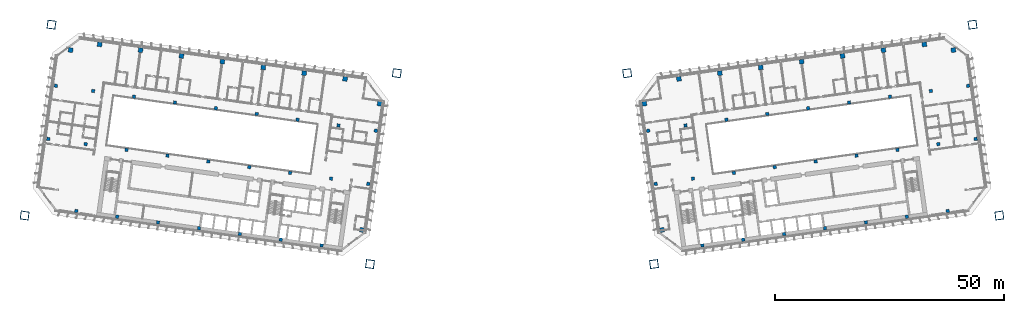
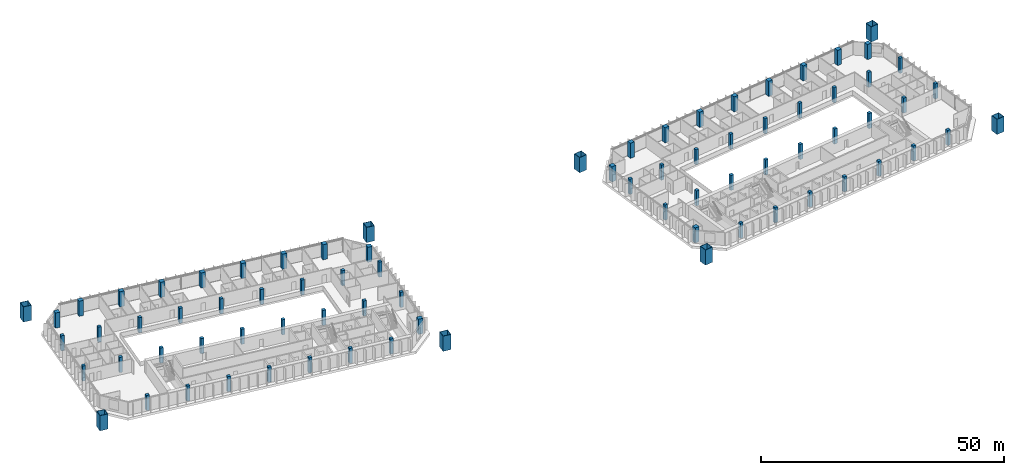
# One storey, part 1 of 24: 78 columns.
"""IFC4 building model written with IfcOpenShell, lengths in metres."""

from ifc_helpers import new_model, si_unit, direction, frame, origin, origin_2d, place, context, subcontext, project, spatial, rectangle, hollow_rectangle, extrude, material, material_profile, profile_set, type_object, element, save


model = new_model("IFC4")

# Units and contexts
model_context = context("Model", 3, precision=1e-05, world=origin(), true_north=direction((0.0, 1.0)))
body_context = subcontext(model_context, "Body", "Model", "MODEL_VIEW")
ifc_project = project(units=[si_unit("LENGTHUNIT", "METRE"), si_unit("AREAUNIT", "SQUARE_METRE"), si_unit("VOLUMEUNIT", "CUBIC_METRE"), si_unit("PLANEANGLEUNIT", "RADIAN"), si_unit("MASSUNIT", "GRAM", prefix="KILO")], contexts=[model_context])

# Site, building, storey
site_placement = place(None, origin())
site = spatial("IfcSite", under=ifc_project, at=site_placement, CompositionType="ELEMENT")
building_placement = place(site_placement, origin())
building = spatial("IfcBuilding", under=site, at=building_placement, Name="Mirante Cascada Hotel Towers", CompositionType="ELEMENT")
storey_placement = place(building_placement, frame((0.0, 0.0, 47.1)))
storey = spatial("IfcBuildingStorey", under=building, at=storey_placement, Name="L08", CompositionType="ELEMENT", Elevation=47.1)

# Columns
ifc_material_1 = material(Name="Steel ASTM A572 Gr 50", Category="steel")
ifc_material_profile_1 = material_profile(ifc_material_1, hollow_rectangle(XDim=1.8, YDim=1.8, WallThickness=0.08, at=origin_2d()), Name="Box column 1800x1800x80 ASTM A572 Gr 50")
ifc_profile_set_1 = profile_set([ifc_material_profile_1], Name="Steel ASTM A572 Gr 50")
column_type_1 = type_object("IfcColumnType", Name="Box column 1800x1800x80 ASTM A572 Gr 50", PredefinedType="COLUMN", material=ifc_profile_set_1)
for number, where, z_axis, x_axis, name in (
    (1, (-25.0968, 18.5173, 0.0), (0.0, 0.0, 1.0), (-0.9902681, 0.1391731, 0.0), "Mega column MC1 T1 L08"),
    (2, (-30.9421, -23.074, 0.0), (0.0, 0.0, 1.0), (-0.9902681, 0.1391731, 0.0), "Mega column MC2 T1 L08"),
    (3, (-100.3572, 29.0944, 0.0), (0.0, 0.0, 1.0), (-0.9902681, 0.1391731, 0.0), "Mega column MC3 T1 L08"),
    (4, (-106.2025, -12.4968, 0.0), (0.0, 0.0, 1.0), (-0.9902681, 0.1391731, 0.0), "Mega column MC4 T1 L08"),
    (5, (25.0968, 18.5173, 0.0), (0.0, 0.0, 1.0), (0.9902681, 0.1391731, 0.0), "Mega column MC1 T2 L08"),
    (6, (30.9421, -23.074, 0.0), (0.0, 0.0, 1.0), (0.9902681, 0.1391731, 0.0), "Mega column MC2 T2 L08"),
    (7, (100.3572, 29.0944, 0.0), (0.0, 0.0, 1.0), (0.9902681, 0.1391731, 0.0), "Mega column MC3 T2 L08"),
    (8, (106.2025, -12.4968, 0.0), (0.0, 0.0, 1.0), (0.9902681, 0.1391731, 0.0), "Mega column MC4 T2 L08"),
):
    element("IfcColumn", number, at=place(storey_placement, frame(where, z_axis=z_axis, x_axis=x_axis)), inside=storey, type_object=column_type_1, Name=name, PredefinedType="COLUMN", context=body_context, shape_type="SweptSolid", body=[
        extrude(hollow_rectangle(XDim=1.8, YDim=1.8, WallThickness=0.08, at=origin_2d()), origin(), (0.0, 0.0, 1.0), 3.8),
    ])
ifc_material_2 = material(Name="Concrete C60/75", Category="concrete")
ifc_material_profile_2 = material_profile(ifc_material_2, rectangle(XDim=1.0, YDim=1.0, at=origin_2d()), Name="RC column 1000x1000 C60/75")
ifc_profile_set_2 = profile_set([ifc_material_profile_2], Name="Concrete C60/75")
column_type_2 = type_object("IfcColumnType", Name="RC column 1000x1000 C60/75", PredefinedType="COLUMN", material=ifc_profile_set_2)
for number, where, z_axis, x_axis, name in (
    (9, (-28.8577, 11.8761, 0.0), (0.0, 0.0, 1.0), (-0.9902681, 0.1391731, 0.0), "Column T1 L08 1"),
    (10, (-32.7267, -15.6534, 0.0), (0.0, 0.0, 1.0), (-0.9902681, 0.1391731, 0.0), "Column T1 L08 4"),
    (11, (-36.3795, 17.2754, 0.0), (0.0, 0.0, 1.0), (-0.9902681, 0.1391731, 0.0), "Column T1 L08 5"),
    (12, (-45.2919, 18.528, 0.0), (0.0, 0.0, 1.0), (-0.9902681, 0.1391731, 0.0), "Column T1 L08 9"),
    (13, (-54.2043, 19.7806, 0.0), (0.0, 0.0, 1.0), (-0.9902681, 0.1391731, 0.0), "Column T1 L08 13"),
    (14, (-63.1167, 21.0331, 0.0), (0.0, 0.0, 1.0), (-0.9902681, 0.1391731, 0.0), "Column T1 L08 17"),
    (15, (-72.0291, 22.2857, 0.0), (0.0, 0.0, 1.0), (-0.9902681, 0.1391731, 0.0), "Column T1 L08 21"),
    (16, (-80.9415, 23.5382, 0.0), (0.0, 0.0, 1.0), (-0.9902681, 0.1391731, 0.0), "Column T1 L08 25"),
    (17, (-89.8539, 24.7908, 0.0), (0.0, 0.0, 1.0), (-0.9902681, 0.1391731, 0.0), "Column T1 L08 29"),
    (18, (-96.1868, 23.5602, 0.0), (0.0, 0.0, 1.0), (-0.9902681, 0.1391731, 0.0), "Column T1 L08 33"),
    (19, (28.8577, 11.8761, 0.0), (0.0, 0.0, 1.0), (0.9902681, 0.1391731, 0.0), "Column T2 L08 1"),
    (20, (32.7267, -15.6534, 0.0), (0.0, 0.0, 1.0), (0.9902681, 0.1391731, 0.0), "Column T2 L08 4"),
    (21, (36.3795, 17.2754, 0.0), (0.0, 0.0, 1.0), (0.9902681, 0.1391731, 0.0), "Column T2 L08 5"),
    (22, (45.2919, 18.528, 0.0), (0.0, 0.0, 1.0), (0.9902681, 0.1391731, 0.0), "Column T2 L08 9"),
    (23, (54.2043, 19.7806, 0.0), (0.0, 0.0, 1.0), (0.9902681, 0.1391731, 0.0), "Column T2 L08 13"),
    (24, (63.1167, 21.0331, 0.0), (0.0, 0.0, 1.0), (0.9902681, 0.1391731, 0.0), "Column T2 L08 17"),
    (25, (72.0291, 22.2857, 0.0), (0.0, 0.0, 1.0), (0.9902681, 0.1391731, 0.0), "Column T2 L08 21"),
    (26, (80.9415, 23.5382, 0.0), (0.0, 0.0, 1.0), (0.9902681, 0.1391731, 0.0), "Column T2 L08 25"),
    (27, (89.8539, 24.7908, 0.0), (0.0, 0.0, 1.0), (0.9902681, 0.1391731, 0.0), "Column T2 L08 29"),
    (28, (96.1868, 23.5602, 0.0), (0.0, 0.0, 1.0), (0.9902681, 0.1391731, 0.0), "Column T2 L08 33"),
):
    element("IfcColumn", number, at=place(storey_placement, frame(where, z_axis=z_axis, x_axis=x_axis)), inside=storey, type_object=column_type_2, Name=name, PredefinedType="COLUMN", context=body_context, shape_type="SweptSolid", body=[
        extrude(rectangle(XDim=1.0, YDim=1.0, at=origin_2d()), origin(), (0.0, 0.0, 1.0), 3.8),
    ])
ifc_material_3 = material(Name="Concrete C60/75", Category="concrete")
ifc_material_profile_3 = material_profile(ifc_material_3, rectangle(XDim=0.7, YDim=0.7, at=origin_2d()), Name="RC column 700x700 C60/75")
ifc_profile_set_3 = profile_set([ifc_material_profile_3], Name="Concrete C60/75")
column_type_3 = type_object("IfcColumnType", Name="RC column 700x700 C60/75", PredefinedType="COLUMN", material=ifc_profile_set_3)
for number, where, z_axis, x_axis, name in (
    (29, (-29.6858, 5.984, 0.0), (0.0, 0.0, 1.0), (-0.9902681, 0.1391731, 0.0), "Column T1 L08 2"),
    (30, (-31.3141, -5.6022, 0.0), (0.0, 0.0, 1.0), (-0.9902681, 0.1391731, 0.0), "Column T1 L08 3"),
    (31, (-37.806, 7.1252, 0.0), (0.0, 0.0, 1.0), (-0.9902681, 0.1391731, 0.0), "Column T1 L08 6"),
    (32, (-39.4343, -4.4609, 0.0), (0.0, 0.0, 1.0), (-0.9902681, 0.1391731, 0.0), "Column T1 L08 7"),
    (33, (-41.4802, -19.0179, 0.0), (0.0, 0.0, 1.0), (-0.9902681, 0.1391731, 0.0), "Column T1 L08 8"),
    (34, (-46.7184, 8.3777, 0.0), (0.0, 0.0, 1.0), (-0.9902681, 0.1391731, 0.0), "Column T1 L08 10"),
    (35, (-48.3467, -3.2084, 0.0), (0.0, 0.0, 1.0), (-0.9902681, 0.1391731, 0.0), "Column T1 L08 11"),
    (36, (-50.3926, -17.7653, 0.0), (0.0, 0.0, 1.0), (-0.9902681, 0.1391731, 0.0), "Column T1 L08 12"),
    (37, (-55.6308, 9.6303, 0.0), (0.0, 0.0, 1.0), (-0.9902681, 0.1391731, 0.0), "Column T1 L08 14"),
    (38, (-57.2591, -1.9558, 0.0), (0.0, 0.0, 1.0), (-0.9902681, 0.1391731, 0.0), "Column T1 L08 15"),
    (39, (-59.305, -16.5128, 0.0), (0.0, 0.0, 1.0), (-0.9902681, 0.1391731, 0.0), "Column T1 L08 16"),
    (40, (-64.5432, 10.8829, 0.0), (0.0, 0.0, 1.0), (-0.9902681, 0.1391731, 0.0), "Column T1 L08 18"),
    (41, (-66.1716, -0.7033, 0.0), (0.0, 0.0, 1.0), (-0.9902681, 0.1391731, 0.0), "Column T1 L08 19"),
    (42, (-68.2174, -15.2602, 0.0), (0.0, 0.0, 1.0), (-0.9902681, 0.1391731, 0.0), "Column T1 L08 20"),
    (43, (-73.4556, 12.1354, 0.0), (0.0, 0.0, 1.0), (-0.9902681, 0.1391731, 0.0), "Column T1 L08 22"),
    (44, (-75.084, 0.5493, 0.0), (0.0, 0.0, 1.0), (-0.9902681, 0.1391731, 0.0), "Column T1 L08 23"),
    (45, (-77.1298, -14.0077, 0.0), (0.0, 0.0, 1.0), (-0.9902681, 0.1391731, 0.0), "Column T1 L08 24"),
    (46, (-82.368, 13.388, 0.0), (0.0, 0.0, 1.0), (-0.9902681, 0.1391731, 0.0), "Column T1 L08 26"),
    (47, (-83.9964, 1.8018, 0.0), (0.0, 0.0, 1.0), (-0.9902681, 0.1391731, 0.0), "Column T1 L08 27"),
    (48, (-86.0422, -12.7551, 0.0), (0.0, 0.0, 1.0), (-0.9902681, 0.1391731, 0.0), "Column T1 L08 28"),
    (49, (-91.2805, 14.6405, 0.0), (0.0, 0.0, 1.0), (-0.9902681, 0.1391731, 0.0), "Column T1 L08 30"),
    (50, (-92.9088, 3.0544, 0.0), (0.0, 0.0, 1.0), (-0.9902681, 0.1391731, 0.0), "Column T1 L08 31"),
    (51, (-94.9546, -11.5025, 0.0), (0.0, 0.0, 1.0), (-0.9902681, 0.1391731, 0.0), "Column T1 L08 32"),
    (52, (-99.4007, 15.7818, 0.0), (0.0, 0.0, 1.0), (-0.9902681, 0.1391731, 0.0), "Column T1 L08 34"),
    (53, (-101.029, 4.1956, 0.0), (0.0, 0.0, 1.0), (-0.9902681, 0.1391731, 0.0), "Column T1 L08 35"),
    (54, (29.6858, 5.984, 0.0), (0.0, 0.0, 1.0), (0.9902681, 0.1391731, 0.0), "Column T2 L08 2"),
    (55, (31.3141, -5.6022, 0.0), (0.0, 0.0, 1.0), (0.9902681, 0.1391731, 0.0), "Column T2 L08 3"),
    (56, (37.806, 7.1252, 0.0), (0.0, 0.0, 1.0), (0.9902681, 0.1391731, 0.0), "Column T2 L08 6"),
    (57, (39.4343, -4.4609, 0.0), (0.0, 0.0, 1.0), (0.9902681, 0.1391731, 0.0), "Column T2 L08 7"),
    (58, (41.4802, -19.0179, 0.0), (0.0, 0.0, 1.0), (0.9902681, 0.1391731, 0.0), "Column T2 L08 8"),
    (59, (46.7184, 8.3777, 0.0), (0.0, 0.0, 1.0), (0.9902681, 0.1391731, 0.0), "Column T2 L08 10"),
    (60, (48.3467, -3.2084, 0.0), (0.0, 0.0, 1.0), (0.9902681, 0.1391731, 0.0), "Column T2 L08 11"),
    (61, (50.3926, -17.7653, 0.0), (0.0, 0.0, 1.0), (0.9902681, 0.1391731, 0.0), "Column T2 L08 12"),
    (62, (55.6308, 9.6303, 0.0), (0.0, 0.0, 1.0), (0.9902681, 0.1391731, 0.0), "Column T2 L08 14"),
    (63, (57.2591, -1.9558, 0.0), (0.0, 0.0, 1.0), (0.9902681, 0.1391731, 0.0), "Column T2 L08 15"),
    (64, (59.305, -16.5128, 0.0), (0.0, 0.0, 1.0), (0.9902681, 0.1391731, 0.0), "Column T2 L08 16"),
    (65, (64.5432, 10.8829, 0.0), (0.0, 0.0, 1.0), (0.9902681, 0.1391731, 0.0), "Column T2 L08 18"),
    (66, (66.1716, -0.7033, 0.0), (0.0, 0.0, 1.0), (0.9902681, 0.1391731, 0.0), "Column T2 L08 19"),
    (67, (68.2174, -15.2602, 0.0), (0.0, 0.0, 1.0), (0.9902681, 0.1391731, 0.0), "Column T2 L08 20"),
    (68, (73.4556, 12.1354, 0.0), (0.0, 0.0, 1.0), (0.9902681, 0.1391731, 0.0), "Column T2 L08 22"),
    (69, (75.084, 0.5493, 0.0), (0.0, 0.0, 1.0), (0.9902681, 0.1391731, 0.0), "Column T2 L08 23"),
    (70, (77.1298, -14.0077, 0.0), (0.0, 0.0, 1.0), (0.9902681, 0.1391731, 0.0), "Column T2 L08 24"),
    (71, (82.368, 13.388, 0.0), (0.0, 0.0, 1.0), (0.9902681, 0.1391731, 0.0), "Column T2 L08 26"),
    (72, (83.9964, 1.8018, 0.0), (0.0, 0.0, 1.0), (0.9902681, 0.1391731, 0.0), "Column T2 L08 27"),
    (73, (86.0422, -12.7551, 0.0), (0.0, 0.0, 1.0), (0.9902681, 0.1391731, 0.0), "Column T2 L08 28"),
    (74, (91.2805, 14.6405, 0.0), (0.0, 0.0, 1.0), (0.9902681, 0.1391731, 0.0), "Column T2 L08 30"),
    (75, (92.9088, 3.0544, 0.0), (0.0, 0.0, 1.0), (0.9902681, 0.1391731, 0.0), "Column T2 L08 31"),
    (76, (94.9546, -11.5025, 0.0), (0.0, 0.0, 1.0), (0.9902681, 0.1391731, 0.0), "Column T2 L08 32"),
    (77, (99.4007, 15.7818, 0.0), (0.0, 0.0, 1.0), (0.9902681, 0.1391731, 0.0), "Column T2 L08 34"),
    (78, (101.029, 4.1956, 0.0), (0.0, 0.0, 1.0), (0.9902681, 0.1391731, 0.0), "Column T2 L08 35"),
):
    element("IfcColumn", number, at=place(storey_placement, frame(where, z_axis=z_axis, x_axis=x_axis)), inside=storey, type_object=column_type_3, Name=name, PredefinedType="COLUMN", context=body_context, shape_type="SweptSolid", body=[
        extrude(rectangle(XDim=0.7, YDim=0.7, at=origin_2d()), origin(), (0.0, 0.0, 1.0), 3.8),
    ])

save(model, "model.ifc")
